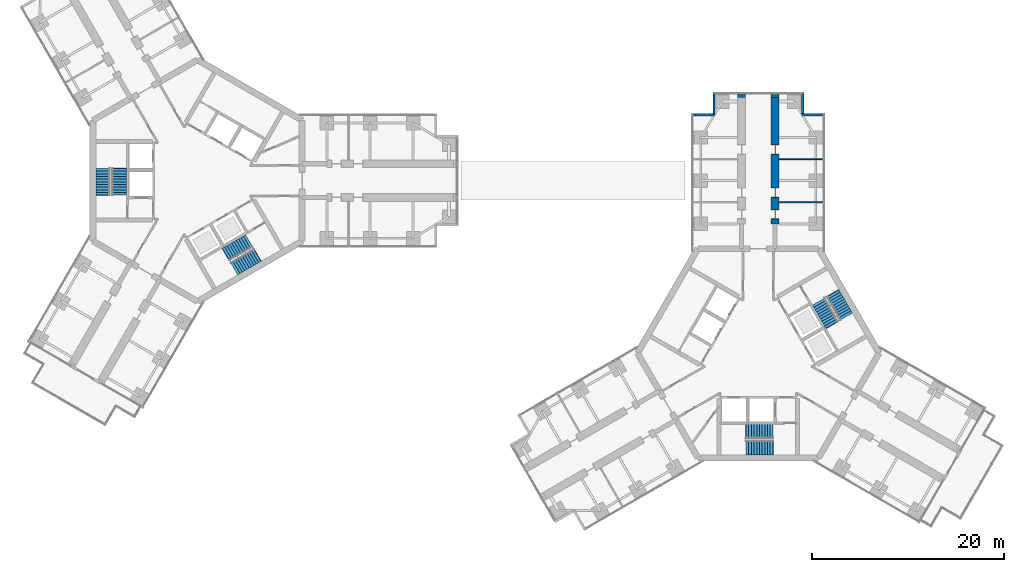
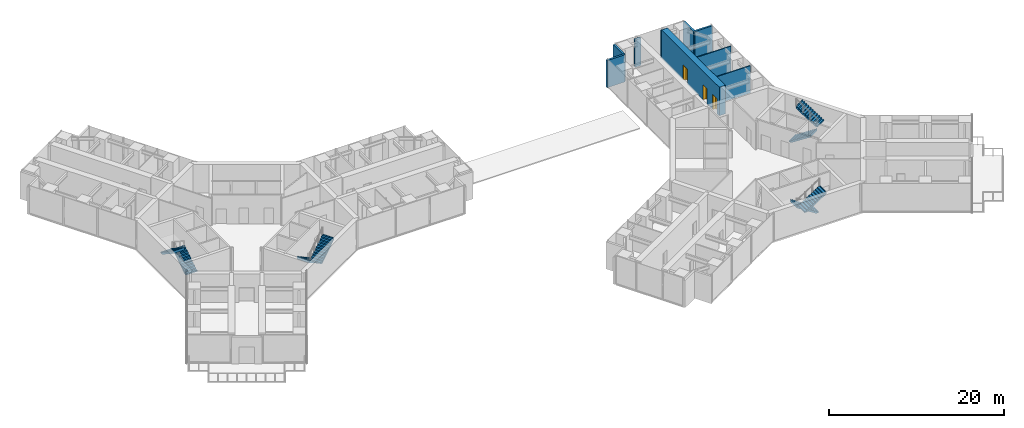
# One storey, part 20 of 22: 9 walls, 8 stair flights, 3 doors, 3 openings, 4 elements without a shape of their own.
"""IFC4 building model written with IfcOpenShell, lengths in metres."""

from ifc_helpers import new_model, si_unit, direction, frame, frame_2d, origin, place, context, subcontext, project, spatial, polyline, rectangle, outline, extrude, material, layer, layer_set, type_object, element, fill, aggregate, save


model = new_model("IFC4")

# Units and contexts
model_context = context("Model", 3, precision=1e-05, world=origin(), true_north=direction((0.0, 1.0)))
body_context = subcontext(model_context, "Body", "Model", "MODEL_VIEW")
ifc_project = project(units=[si_unit("LENGTHUNIT", "METRE"), si_unit("AREAUNIT", "SQUARE_METRE"), si_unit("VOLUMEUNIT", "CUBIC_METRE"), si_unit("PLANEANGLEUNIT", "RADIAN"), si_unit("MASSUNIT", "GRAM", prefix="KILO")], contexts=[model_context])

# Site, building, storey
site_placement = place(None, origin())
site = spatial("IfcSite", under=ifc_project, at=site_placement, CompositionType="ELEMENT")
building_placement = place(site_placement, origin())
building = spatial("IfcBuilding", under=site, at=building_placement, Name="Upepo Twin Towers", CompositionType="ELEMENT")
storey_placement = place(building_placement, frame((0.0, 0.0, 97.5)))
storey = spatial("IfcBuildingStorey", under=building, at=storey_placement, Name="L23", CompositionType="ELEMENT", Elevation=97.5)

# Walls
ifc_material_1 = material(Name="Dense concrete blockwork", Category="masonry")
ifc_layer_1 = layer(ifc_material_1, 0.800048828125)
ifc_layer_set_1 = layer_set([ifc_layer_1], Name="Buttress closer 800, blockwork with fire-stopping to the curtain wall")
wall_type_1 = type_object("IfcWallType", Name="Buttress closer 800, blockwork with fire-stopping to the curtain wall", PredefinedType="PARTITIONING", material=ifc_layer_set_1)
for number, where, z_axis, x_axis, name in (
    (1, (56.75, 8.699951171875, 0.0), (0.0, 0.0, 1.0), (0.0, 1.0, 0.0), "T2 L23 wing A buttress closer L"),
    (2, (60.25, 8.699951171875, 0.0), (0.0, 0.0, 1.0), (0.0, 1.0, 0.0), "T2 L23 wing A buttress closer R"),
):
    element("IfcWall", number, at=place(storey_placement, frame(where, z_axis=z_axis, x_axis=x_axis)), inside=storey, type_object=wall_type_1, Name=name, PredefinedType="PARTITIONING", context=body_context, shape_type="SweptSolid", body=[
        extrude(rectangle(XDim=0.300048828125, YDim=0.800048828125, at=frame_2d((0.14990234375, 0.0))), origin(), (0.0, 0.0, 1.0), 3.800048828125),
    ])

# Wall, openings, doors
ifc_material_2 = material(Name="Concrete C60/75", Category="concrete")
ifc_layer_2 = layer(ifc_material_2, 0.800048828125)
ifc_layer_set_2 = layer_set([ifc_layer_2], Name="Concrete C60/75")
wall_type_2 = type_object("IfcWallType", Name="Buttress wall 800 RC", PredefinedType="SHEAR", material=ifc_layer_set_2)
wall_placement = place(storey_placement, frame((60.25, -4.5, 0.0), z_axis=(0.0, 0.0, 1.0), x_axis=(0.0, 1.0, 0.0)))
wall = element("IfcWall", 3, at=wall_placement, inside=storey, type_object=wall_type_2, Name="T2 wing A buttress wall R part 2", PredefinedType="SHEAR", context=body_context, shape_type="SweptSolid", body=[
    extrude(rectangle(XDim=13.199951171875, YDim=0.800048828125, at=frame_2d((6.60009765625, 0.0))), origin(), (0.0, 0.0, 1.0), 4.0),
])
opening_1_placement = place(wall_placement, frame((0.5, 0.0, 0.0)))
opening_1 = element("IfcOpeningElement", 4, at=opening_1_placement, cuts=wall, Name="Opening D15", PredefinedType="OPENING", context=body_context, shape_type="SweptSolid", body=[
    extrude(rectangle(XDim=1.0, YDim=2.10009765625, at=frame_2d((0.5, 1.050048828125))), frame((0.0, 0.409912109375, 0.0), z_axis=(0.0, -1.0, 0.0), x_axis=(1.0, 0.0, 0.0)), (0.0, 0.0, 1.0), 0.820068359375),
])
opening_2_placement = place(wall_placement, frame((2.75, 0.0, 0.0)))
opening_2 = element("IfcOpeningElement", 5, at=opening_2_placement, cuts=wall, Name="Opening D15", PredefinedType="OPENING", context=body_context, shape_type="SweptSolid", body=[
    extrude(rectangle(XDim=1.0, YDim=2.10009765625, at=frame_2d((0.5, 1.050048828125))), frame((0.0, 0.409912109375, 0.0), z_axis=(0.0, -1.0, 0.0), x_axis=(1.0, 0.0, 0.0)), (0.0, 0.0, 1.0), 0.820068359375),
])
opening_3_placement = place(wall_placement, frame((7.25, 0.0, 0.0)))
opening_3 = element("IfcOpeningElement", 6, at=opening_3_placement, cuts=wall, Name="Opening D15", PredefinedType="OPENING", context=body_context, shape_type="SweptSolid", body=[
    extrude(rectangle(XDim=1.0, YDim=2.10009765625, at=frame_2d((0.5, 1.050048828125))), frame((0.0, 0.409912109375, 0.0), z_axis=(0.0, -1.0, 0.0), x_axis=(1.0, 0.0, 0.0)), (0.0, 0.0, 1.0), 0.820068359375),
])
ifc_material_3 = material(Name="Timber doorset", Category="wood")
door_type = type_object("IfcDoorType", Name="Glazed door 1000 FD30", OperationType="SINGLE_SWING_LEFT", PredefinedType="DOOR", material=ifc_material_3)
door_1_placement = place(opening_1_placement, origin())
door_1 = element("IfcDoor", 7, at=door_1_placement, inside=storey, type_object=door_type, Name="T2 L23 faculty office door", OperationType="SINGLE_SWING_LEFT", OverallHeight=2.10009765625, OverallWidth=1.0, PredefinedType="DOOR", context=body_context, shape_type="SweptSolid", body=[
    extrude(rectangle(XDim=0.92, YDim=2.06009765625, at=frame_2d((0.5, 1.030029296875))), frame((0.0, 0.02490234375, 0.0), z_axis=(0.0, -1.0, 0.0), x_axis=(1.0, 0.0, 0.0)), (0.0, 0.0, 1.0), 0.050048828125),
    extrude(rectangle(XDim=0.04, YDim=2.10009765625, at=frame_2d((0.02001953125, 1.050048828125))), frame((0.0, 0.39990234375, 0.0), z_axis=(0.0, -1.0, 0.0), x_axis=(1.0, 0.0, 0.0)), (0.0, 0.0, 1.0), 0.799560546875),
    extrude(rectangle(XDim=0.04, YDim=2.10009765625, at=frame_2d((0.97998046875, 1.050048828125))), frame((0.0, 0.39990234375, 0.0), z_axis=(0.0, -1.0, 0.0), x_axis=(1.0, 0.0, 0.0)), (0.0, 0.0, 1.0), 0.799560546875),
    extrude(rectangle(XDim=0.92, YDim=0.04, at=frame_2d((0.5, 2.080078125))), frame((0.0, 0.39990234375, 0.0), z_axis=(0.0, -1.0, 0.0), x_axis=(1.0, 0.0, 0.0)), (0.0, 0.0, 1.0), 0.799560546875),
])
fill(opening_1, door_1)
door_2_placement = place(opening_2_placement, origin())
door_2 = element("IfcDoor", 8, at=door_2_placement, inside=storey, type_object=door_type, Name="T2 L23 faculty office door", OperationType="SINGLE_SWING_LEFT", OverallHeight=2.10009765625, OverallWidth=1.0, PredefinedType="DOOR", context=body_context, shape_type="SweptSolid", body=[
    extrude(rectangle(XDim=0.92, YDim=2.06009765625, at=frame_2d((0.5, 1.030029296875))), frame((0.0, 0.02490234375, 0.0), z_axis=(0.0, -1.0, 0.0), x_axis=(1.0, 0.0, 0.0)), (0.0, 0.0, 1.0), 0.050048828125),
    extrude(rectangle(XDim=0.04, YDim=2.10009765625, at=frame_2d((0.02001953125, 1.050048828125))), frame((0.0, 0.39990234375, 0.0), z_axis=(0.0, -1.0, 0.0), x_axis=(1.0, 0.0, 0.0)), (0.0, 0.0, 1.0), 0.799560546875),
    extrude(rectangle(XDim=0.04, YDim=2.10009765625, at=frame_2d((0.97998046875, 1.050048828125))), frame((0.0, 0.39990234375, 0.0), z_axis=(0.0, -1.0, 0.0), x_axis=(1.0, 0.0, 0.0)), (0.0, 0.0, 1.0), 0.799560546875),
    extrude(rectangle(XDim=0.92, YDim=0.04, at=frame_2d((0.5, 2.080078125))), frame((0.0, 0.39990234375, 0.0), z_axis=(0.0, -1.0, 0.0), x_axis=(1.0, 0.0, 0.0)), (0.0, 0.0, 1.0), 0.799560546875),
])
fill(opening_2, door_2)
door_3_placement = place(opening_3_placement, origin())
door_3 = element("IfcDoor", 9, at=door_3_placement, inside=storey, type_object=door_type, Name="T2 L23 faculty office door", OperationType="SINGLE_SWING_RIGHT", OverallHeight=2.10009765625, OverallWidth=1.0, PredefinedType="DOOR", context=body_context, shape_type="SweptSolid", body=[
    extrude(rectangle(XDim=0.92, YDim=2.06009765625, at=frame_2d((0.5, 1.030029296875))), frame((0.0, 0.02490234375, 0.0), z_axis=(0.0, -1.0, 0.0), x_axis=(1.0, 0.0, 0.0)), (0.0, 0.0, 1.0), 0.050048828125),
    extrude(rectangle(XDim=0.04, YDim=2.10009765625, at=frame_2d((0.02001953125, 1.050048828125))), frame((0.0, 0.39990234375, 0.0), z_axis=(0.0, -1.0, 0.0), x_axis=(1.0, 0.0, 0.0)), (0.0, 0.0, 1.0), 0.799560546875),
    extrude(rectangle(XDim=0.04, YDim=2.10009765625, at=frame_2d((0.97998046875, 1.050048828125))), frame((0.0, 0.39990234375, 0.0), z_axis=(0.0, -1.0, 0.0), x_axis=(1.0, 0.0, 0.0)), (0.0, 0.0, 1.0), 0.799560546875),
    extrude(rectangle(XDim=0.92, YDim=0.04, at=frame_2d((0.5, 2.080078125))), frame((0.0, 0.39990234375, 0.0), z_axis=(0.0, -1.0, 0.0), x_axis=(1.0, 0.0, 0.0)), (0.0, 0.0, 1.0), 0.799560546875),
])
fill(opening_3, door_3)

# Walls
ifc_material_4 = material(Name="Laminated glass in an aluminium frame", Category="aluminium")
ifc_layer_3 = layer(ifc_material_4, 0.1201171875)
ifc_layer_set_3 = layer_set([ifc_layer_3], Name="Glazed partition 120, aluminium framed")
wall_type_3 = type_object("IfcWallType", Name="Glazed partition 120, aluminium framed", PredefinedType="PARTITIONING", material=ifc_layer_set_3)
for number, where, z_axis, x_axis, name in (
    (10, (60.64990234375, -2.25, 0.0), (0.0, 0.0, 1.0), (1.0, 0.0, 0.0), "T2 partition AR at 15.75"),
    (11, (60.64990234375, 2.25, 0.0), (0.0, 0.0, 1.0), (1.0, 0.0, 0.0), "T2 partition AR at 20.25"),
):
    element("IfcWall", number, at=place(storey_placement, frame(where, z_axis=z_axis, x_axis=x_axis)), inside=storey, type_object=wall_type_3, Name=name, PredefinedType="PARTITIONING", context=body_context, shape_type="SweptSolid", body=[
        extrude(rectangle(XDim=4.60009765625, YDim=0.1201171875, at=frame_2d((2.300048828125, 0.0))), origin(), (0.0, 0.0, 1.0), 3.800048828125),
    ])
ifc_material_5 = material(Name="Blockwork with anodised aluminium cladding", Category="masonry")
ifc_layer_4 = layer(ifc_material_5, 0.25)
ifc_layer_set_4 = layer_set([ifc_layer_4], Name="Notch cladding wall 250, pale metal")
wall_type_4 = type_object("IfcWallType", Name="Notch cladding wall 250, pale metal", PredefinedType="STANDARD", material=ifc_layer_set_4)
for number, where, z_axis, x_axis, name in (
    (12, (51.550048828125, 6.875, 0.0), (0.0, 0.0, 1.0), (1.0, 0.0, 0.0), "T2 L23 wing A notch wall L1"),
    (13, (53.875, 6.875, 0.0), (0.0, 0.0, 1.0), (0.0, 1.0, 0.0), "T2 L23 wing A notch wall L2"),
    (14, (65.449951171875, 6.875, 0.0), (0.0, 0.0, 1.0), (-1.0, 0.0, 0.0), "T2 L23 wing A notch wall R1"),
    (15, (63.125, 6.875, 0.0), (0.0, 0.0, 1.0), (0.0, 1.0, 0.0), "T2 L23 wing A notch wall R2"),
):
    element("IfcWall", number, at=place(storey_placement, frame(where, z_axis=z_axis, x_axis=x_axis)), inside=storey, type_object=wall_type_4, Name=name, PredefinedType="STANDARD", context=body_context, shape_type="SweptSolid", body=[
        extrude(rectangle(XDim=2.324951171875, YDim=0.25, at=frame_2d((1.16259765625, 0.0))), origin(), (0.0, 0.0, 1.0), 3.800048828125),
    ])

# Stair, stair flights
ifc_material_6 = material(Name="Concrete C40/50", Category="concrete")
stair_type = type_object("IfcStairType", Name="Core stair, two flights", PredefinedType="HALF_TURN_STAIR", material=ifc_material_6)
stair_1_placement = place(storey_placement, origin())
stair_1 = element("IfcStair", 16, at=stair_1_placement, inside=storey, type_object=stair_type, Name="T1 stair S1 L23", PredefinedType="HALF_TURN_STAIR")
ifc_material_7 = material(Name="Concrete C40/50", Category="concrete")
stair_flight_type = type_object("IfcStairFlightType", Name="Stair flight 1500 RC", PredefinedType="STRAIGHT", material=ifc_material_7)
stair_flight_1_placement = place(storey_placement, frame((-8.14990234375, -1.52001953125, 0.0), z_axis=(0.0, 0.0, 1.0), x_axis=(0.0, 1.0, 0.0)))
stair_flight_1 = element("IfcStairFlight", 17, at=stair_flight_1_placement, type_object=stair_flight_type, Name="Stair S1 flight 1", NumberOfRisers=11, NumberOfTreads=10, PredefinedType="STRAIGHT", RiserHeight=0.181818182, TreadLength=0.28, context=body_context, shape_type="SweptSolid", body=[
    extrude(outline(polyline([(0.0, 0.0), (0.0, 0.181884765625), (0.280029296875, 0.181884765625), (0.280029296875, 0.363525390625), (0.56005859375, 0.363525390625), (0.56005859375, 0.54541015625), (0.840087890625, 0.54541015625), (0.840087890625, 0.727294921875), (1.1201171875, 0.727294921875), (1.1201171875, 0.9091796875), (1.39990234375, 0.9091796875), (1.39990234375, 1.0908203125), (1.679931640625, 1.0908203125), (1.679931640625, 1.272705078125), (1.9599609375, 1.272705078125), (1.9599609375, 1.45458984375), (2.239990234375, 1.45458984375), (2.239990234375, 1.636474609375), (2.52001953125, 1.636474609375), (2.52001953125, 1.818115234375), (2.800048828125, 1.818115234375), (2.800048828125, 2.0), (2.85009765625, 2.0), (2.85009765625, 1.639404296875), (0.3251953125, 0.0), (0.0, 0.0)])), frame((0.0, 0.75, 0.0), z_axis=(0.0, -1.0, 0.0), x_axis=(1.0, 0.0, 0.0)), (0.0, 0.0, 1.0), 1.5),
])
stair_flight_2_placement = place(storey_placement, frame((-9.8583984375, 1.280029296875, 2.0), z_axis=(0.0, 0.0, 1.0), x_axis=(0.0, -1.0, 0.0)))
stair_flight_2 = element("IfcStairFlight", 18, at=stair_flight_2_placement, type_object=stair_flight_type, Name="Stair S1 flight 2", NumberOfRisers=11, NumberOfTreads=10, PredefinedType="STRAIGHT", RiserHeight=0.181818182, TreadLength=0.28, context=body_context, shape_type="SweptSolid", body=[
    extrude(outline(polyline([(0.0, 0.0), (0.0, 0.181884765625), (0.280029296875, 0.181884765625), (0.280029296875, 0.363525390625), (0.56005859375, 0.363525390625), (0.56005859375, 0.54541015625), (0.840087890625, 0.54541015625), (0.840087890625, 0.727294921875), (1.1201171875, 0.727294921875), (1.1201171875, 0.9091796875), (1.39990234375, 0.9091796875), (1.39990234375, 1.0908203125), (1.679931640625, 1.0908203125), (1.679931640625, 1.272705078125), (1.9599609375, 1.272705078125), (1.9599609375, 1.45458984375), (2.239990234375, 1.45458984375), (2.239990234375, 1.636474609375), (2.52001953125, 1.636474609375), (2.52001953125, 1.818115234375), (2.800048828125, 1.818115234375), (2.800048828125, 2.0), (2.85009765625, 2.0), (2.85009765625, 1.639404296875), (0.3251953125, 0.0), (0.0, 0.0)])), frame((0.0, 0.75, 0.0), z_axis=(0.0, -1.0, 0.0), x_axis=(1.0, 0.0, 0.0)), (0.0, 0.0, 1.0), 1.5),
])
aggregate(stair_1, [stair_flight_1, stair_flight_2])

stair_2_placement = place(storey_placement, origin())
stair_2 = element("IfcStair", 19, at=stair_2_placement, inside=storey, type_object=stair_type, Name="T1 stair S2 L23", PredefinedType="HALF_TURN_STAIR")
stair_flight_3_placement = place(storey_placement, frame((5.391357421875, -6.298095703125, 0.0), z_axis=(0.0, 0.0, 1.0), x_axis=(-0.866025403784, -0.5, 0.0)))
stair_flight_3 = element("IfcStairFlight", 20, at=stair_flight_3_placement, type_object=stair_flight_type, Name="Stair S2 flight 1", NumberOfRisers=11, NumberOfTreads=10, PredefinedType="STRAIGHT", RiserHeight=0.181818182, TreadLength=0.28, context=body_context, shape_type="SweptSolid", body=[
    extrude(outline(polyline([(0.0, 0.0), (0.0, 0.181884765625), (0.280029296875, 0.181884765625), (0.280029296875, 0.363525390625), (0.56005859375, 0.363525390625), (0.56005859375, 0.54541015625), (0.840087890625, 0.54541015625), (0.840087890625, 0.727294921875), (1.1201171875, 0.727294921875), (1.1201171875, 0.9091796875), (1.39990234375, 0.9091796875), (1.39990234375, 1.0908203125), (1.679931640625, 1.0908203125), (1.679931640625, 1.272705078125), (1.9599609375, 1.272705078125), (1.9599609375, 1.45458984375), (2.239990234375, 1.45458984375), (2.239990234375, 1.636474609375), (2.52001953125, 1.636474609375), (2.52001953125, 1.818115234375), (2.800048828125, 1.818115234375), (2.800048828125, 2.0), (2.85009765625, 2.0), (2.85009765625, 1.639404296875), (0.3251953125, 0.0), (0.0, 0.0)])), frame((0.0, 0.75, 0.0), z_axis=(0.0, -1.0, 0.0), x_axis=(1.0, 0.0, 0.0)), (0.0, 0.0, 1.0), 1.5),
])
stair_flight_4_placement = place(storey_placement, frame((3.820556640625, -9.177490234375, 2.0), z_axis=(0.0, 0.0, 1.0), x_axis=(0.866025403784, 0.5, 0.0)))
stair_flight_4 = element("IfcStairFlight", 21, at=stair_flight_4_placement, type_object=stair_flight_type, Name="Stair S2 flight 2", NumberOfRisers=11, NumberOfTreads=10, PredefinedType="STRAIGHT", RiserHeight=0.181818182, TreadLength=0.28, context=body_context, shape_type="SweptSolid", body=[
    extrude(outline(polyline([(0.0, 0.0), (0.0, 0.181884765625), (0.280029296875, 0.181884765625), (0.280029296875, 0.363525390625), (0.56005859375, 0.363525390625), (0.56005859375, 0.54541015625), (0.840087890625, 0.54541015625), (0.840087890625, 0.727294921875), (1.1201171875, 0.727294921875), (1.1201171875, 0.9091796875), (1.39990234375, 0.9091796875), (1.39990234375, 1.0908203125), (1.679931640625, 1.0908203125), (1.679931640625, 1.272705078125), (1.9599609375, 1.272705078125), (1.9599609375, 1.45458984375), (2.239990234375, 1.45458984375), (2.239990234375, 1.636474609375), (2.52001953125, 1.636474609375), (2.52001953125, 1.818115234375), (2.800048828125, 1.818115234375), (2.800048828125, 2.0), (2.85009765625, 2.0), (2.85009765625, 1.639404296875), (0.3251953125, 0.0), (0.0, 0.0)])), frame((0.0, 0.75, 0.0), z_axis=(0.0, -1.0, 0.0), x_axis=(1.0, 0.0, 0.0)), (0.0, 0.0, 1.0), 1.5),
])
aggregate(stair_2, [stair_flight_3, stair_flight_4])

stair_3_placement = place(storey_placement, origin())
stair_3 = element("IfcStair", 22, at=stair_3_placement, inside=storey, type_object=stair_type, Name="T2 stair S1 L23", PredefinedType="HALF_TURN_STAIR")
stair_flight_5_placement = place(storey_placement, frame((60.02001953125, -26.14990234375, 0.0), z_axis=(0.0, 0.0, 1.0), x_axis=(-1.0, 0.0, 0.0)))
stair_flight_5 = element("IfcStairFlight", 23, at=stair_flight_5_placement, type_object=stair_flight_type, Name="Stair S1 flight 1", NumberOfRisers=11, NumberOfTreads=10, PredefinedType="STRAIGHT", RiserHeight=0.181818182, TreadLength=0.28, context=body_context, shape_type="SweptSolid", body=[
    extrude(outline(polyline([(0.0, 0.0), (0.0, 0.181884765625), (0.280029296875, 0.181884765625), (0.280029296875, 0.363525390625), (0.56005859375, 0.363525390625), (0.56005859375, 0.54541015625), (0.840087890625, 0.54541015625), (0.840087890625, 0.727294921875), (1.1201171875, 0.727294921875), (1.1201171875, 0.9091796875), (1.39990234375, 0.9091796875), (1.39990234375, 1.0908203125), (1.679931640625, 1.0908203125), (1.679931640625, 1.272705078125), (1.9599609375, 1.272705078125), (1.9599609375, 1.45458984375), (2.239990234375, 1.45458984375), (2.239990234375, 1.636474609375), (2.52001953125, 1.636474609375), (2.52001953125, 1.818115234375), (2.800048828125, 1.818115234375), (2.800048828125, 2.0), (2.85009765625, 2.0), (2.85009765625, 1.639404296875), (0.3251953125, 0.0), (0.0, 0.0)])), frame((0.0, 0.75, 0.0), z_axis=(0.0, -1.0, 0.0), x_axis=(1.0, 0.0, 0.0)), (0.0, 0.0, 1.0), 1.5),
])
stair_flight_6_placement = place(storey_placement, frame((57.219970703125, -27.8583984375, 2.0), z_axis=(0.0, 0.0, 1.0), x_axis=(1.0, 0.0, 0.0)))
stair_flight_6 = element("IfcStairFlight", 24, at=stair_flight_6_placement, type_object=stair_flight_type, Name="Stair S1 flight 2", NumberOfRisers=11, NumberOfTreads=10, PredefinedType="STRAIGHT", RiserHeight=0.181818182, TreadLength=0.28, context=body_context, shape_type="SweptSolid", body=[
    extrude(outline(polyline([(0.0, 0.0), (0.0, 0.181884765625), (0.280029296875, 0.181884765625), (0.280029296875, 0.363525390625), (0.56005859375, 0.363525390625), (0.56005859375, 0.54541015625), (0.840087890625, 0.54541015625), (0.840087890625, 0.727294921875), (1.1201171875, 0.727294921875), (1.1201171875, 0.9091796875), (1.39990234375, 0.9091796875), (1.39990234375, 1.0908203125), (1.679931640625, 1.0908203125), (1.679931640625, 1.272705078125), (1.9599609375, 1.272705078125), (1.9599609375, 1.45458984375), (2.239990234375, 1.45458984375), (2.239990234375, 1.636474609375), (2.52001953125, 1.636474609375), (2.52001953125, 1.818115234375), (2.800048828125, 1.818115234375), (2.800048828125, 2.0), (2.85009765625, 2.0), (2.85009765625, 1.639404296875), (0.3251953125, 0.0), (0.0, 0.0)])), frame((0.0, 0.75, 0.0), z_axis=(0.0, -1.0, 0.0), x_axis=(1.0, 0.0, 0.0)), (0.0, 0.0, 1.0), 1.5),
])
aggregate(stair_3, [stair_flight_5, stair_flight_6])

stair_4_placement = place(storey_placement, origin())
stair_4 = element("IfcStair", 25, at=stair_4_placement, inside=storey, type_object=stair_type, Name="T2 stair S2 L23", PredefinedType="HALF_TURN_STAIR")
stair_flight_7_placement = place(storey_placement, frame((64.798095703125, -12.608642578125, 0.0), z_axis=(0.0, 0.0, 1.0), x_axis=(0.5, -0.866025403784, 0.0)))
stair_flight_7 = element("IfcStairFlight", 26, at=stair_flight_7_placement, type_object=stair_flight_type, Name="Stair S2 flight 1", NumberOfRisers=11, NumberOfTreads=10, PredefinedType="STRAIGHT", RiserHeight=0.181818182, TreadLength=0.28, context=body_context, shape_type="SweptSolid", body=[
    extrude(outline(polyline([(0.0, 0.0), (0.0, 0.181884765625), (0.280029296875, 0.181884765625), (0.280029296875, 0.363525390625), (0.56005859375, 0.363525390625), (0.56005859375, 0.54541015625), (0.840087890625, 0.54541015625), (0.840087890625, 0.727294921875), (1.1201171875, 0.727294921875), (1.1201171875, 0.9091796875), (1.39990234375, 0.9091796875), (1.39990234375, 1.0908203125), (1.679931640625, 1.0908203125), (1.679931640625, 1.272705078125), (1.9599609375, 1.272705078125), (1.9599609375, 1.45458984375), (2.239990234375, 1.45458984375), (2.239990234375, 1.636474609375), (2.52001953125, 1.636474609375), (2.52001953125, 1.818115234375), (2.800048828125, 1.818115234375), (2.800048828125, 2.0), (2.85009765625, 2.0), (2.85009765625, 1.639404296875), (0.3251953125, 0.0), (0.0, 0.0)])), frame((0.0, 0.75, 0.0), z_axis=(0.0, -1.0, 0.0), x_axis=(1.0, 0.0, 0.0)), (0.0, 0.0, 1.0), 1.5),
])
stair_flight_8_placement = place(storey_placement, frame((67.677490234375, -14.179443359375, 2.0), z_axis=(0.0, 0.0, 1.0), x_axis=(-0.5, 0.866025403784, 0.0)))
stair_flight_8 = element("IfcStairFlight", 27, at=stair_flight_8_placement, type_object=stair_flight_type, Name="Stair S2 flight 2", NumberOfRisers=11, NumberOfTreads=10, PredefinedType="STRAIGHT", RiserHeight=0.181818182, TreadLength=0.28, context=body_context, shape_type="SweptSolid", body=[
    extrude(outline(polyline([(0.0, 0.0), (0.0, 0.181884765625), (0.280029296875, 0.181884765625), (0.280029296875, 0.363525390625), (0.56005859375, 0.363525390625), (0.56005859375, 0.54541015625), (0.840087890625, 0.54541015625), (0.840087890625, 0.727294921875), (1.1201171875, 0.727294921875), (1.1201171875, 0.9091796875), (1.39990234375, 0.9091796875), (1.39990234375, 1.0908203125), (1.679931640625, 1.0908203125), (1.679931640625, 1.272705078125), (1.9599609375, 1.272705078125), (1.9599609375, 1.45458984375), (2.239990234375, 1.45458984375), (2.239990234375, 1.636474609375), (2.52001953125, 1.636474609375), (2.52001953125, 1.818115234375), (2.800048828125, 1.818115234375), (2.800048828125, 2.0), (2.85009765625, 2.0), (2.85009765625, 1.639404296875), (0.3251953125, 0.0), (0.0, 0.0)])), frame((0.0, 0.75, 0.0), z_axis=(0.0, -1.0, 0.0), x_axis=(1.0, 0.0, 0.0)), (0.0, 0.0, 1.0), 1.5),
])
aggregate(stair_4, [stair_flight_7, stair_flight_8])

save(model, "model.ifc")
